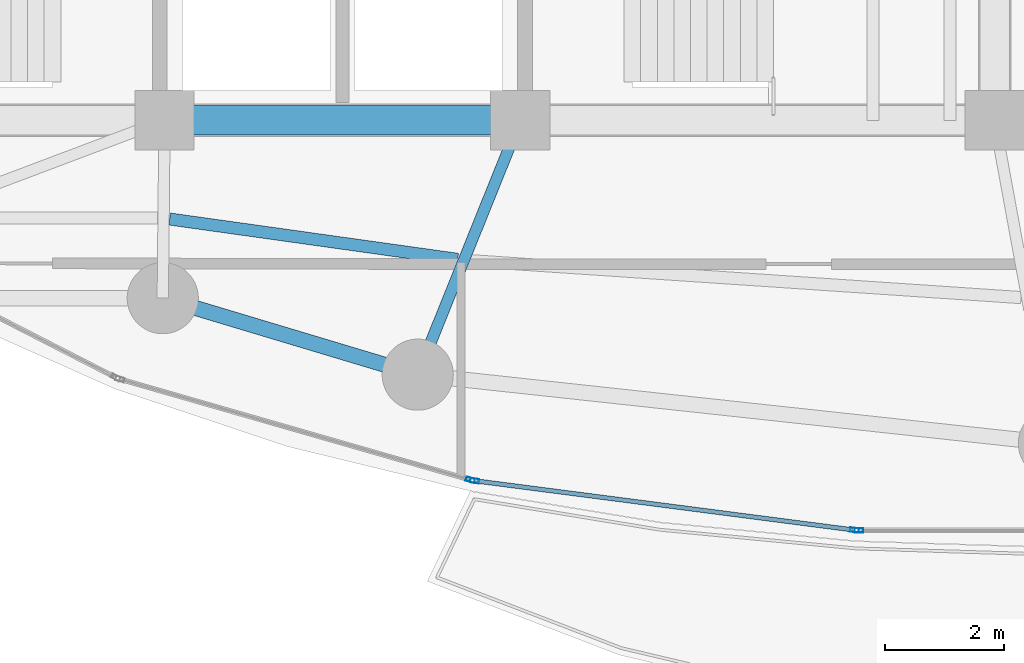
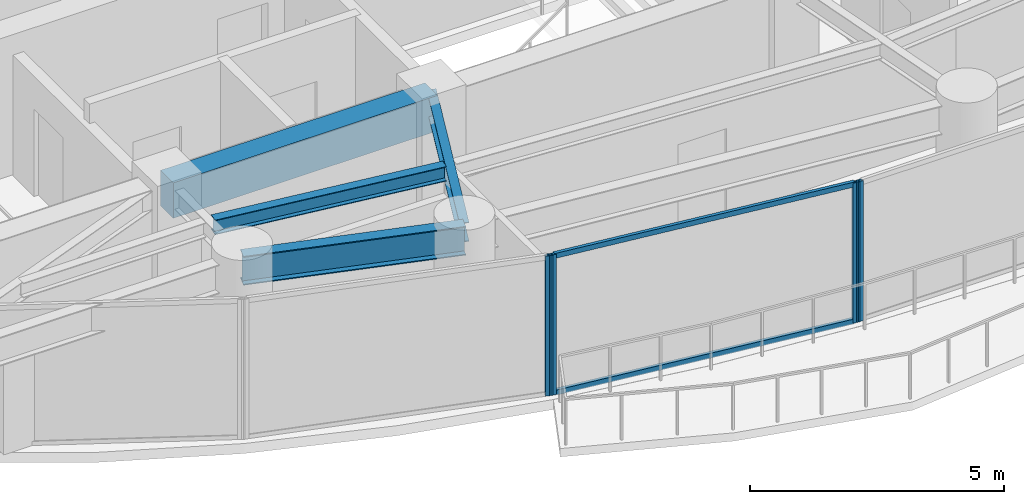
# One storey, part 5 of 28: 6 members, 4 beams, 3 elements without a shape of their own.
"""IFC4 building model written with IfcOpenShell, lengths in metres."""

from ifc_helpers import new_model, si_unit, direction, frame, origin, origin_2d, place, context, subcontext, project, spatial, rectangle, hollow_rectangle, i_section, extrude, material, layer, layer_set, material_profile, profile_set, type_object, element, aggregate, save


model = new_model("IFC4")

# Units and contexts
model_context = context("Model", 3, precision=1e-05, world=origin(), true_north=direction((0.0, 1.0)))
body_context = subcontext(model_context, "Body", "Model", "MODEL_VIEW")
ifc_project = project(units=[si_unit("LENGTHUNIT", "METRE"), si_unit("AREAUNIT", "SQUARE_METRE"), si_unit("VOLUMEUNIT", "CUBIC_METRE"), si_unit("PLANEANGLEUNIT", "RADIAN"), si_unit("MASSUNIT", "GRAM", prefix="KILO")], contexts=[model_context])

# Site, building, storey
site_placement = place(None, origin())
site = spatial("IfcSite", under=ifc_project, at=site_placement, CompositionType="ELEMENT")
building_placement = place(site_placement, origin())
building = spatial("IfcBuilding", under=site, at=building_placement, Name="Kazevale Care Tower and Concert Hall", CompositionType="ELEMENT")
storey_placement = place(building_placement, frame((0.0, 0.0, 135.0)))
storey = spatial("IfcBuildingStorey", under=building, at=storey_placement, Name="L35", CompositionType="ELEMENT", Elevation=135.0)

# Curtain wall, member
ifc_material_1 = material(Name="Aluminium 6063-T6 and Low-E Glass", Category="aluminium")
ifc_layer = layer(ifc_material_1, 0.179931640625)
ifc_layer_set = layer_set([ifc_layer], Name="Aluminium 6063-T6 and Low-E Glass")
curtain_wall_type = type_object("IfcCurtainWallType", Name="Sheltered Concave Balcony Curtain Wall CW-5", PredefinedType="NOTDEFINED", material=ifc_layer_set)
curtain_wall_1_placement = place(storey_placement, origin())
curtain_wall_1 = element("IfcCurtainWall", 1, at=curtain_wall_1_placement, inside=storey, type_object=curtain_wall_type, Name="cw:L35:f06", PredefinedType="NOTDEFINED")
ifc_material_2 = material(Name="Aluminium 6063-T6", Category="aluminium")
ifc_material_profile_1 = material_profile(ifc_material_2, hollow_rectangle(XDim=0.074951171875, YDim=0.14990234375, WallThickness=0.00390625, at=origin_2d()), Name="ALU75x150x4")
ifc_profile_set_1 = profile_set([ifc_material_profile_1], Name="Aluminium 6063-T6")
member_type_1 = type_object("IfcMemberType", Name="CW-5 Mullion ALU75x150x4", PredefinedType="MULLION", material=ifc_profile_set_1)
member_1_placement = place(storey_placement, frame((41.71240234375, 16.68408203125, 0.0), z_axis=(0.0, 0.0, 1.0), x_axis=(0.0, -1.0, 0.0)))
member_1 = element("IfcMember", 2, at=member_1_placement, type_object=member_type_1, Name="CW-5 mullion 2", PredefinedType="MULLION", context=body_context, shape_type="SweptSolid", body=[
    extrude(hollow_rectangle(XDim=0.074951171875, YDim=0.14990234375, WallThickness=0.00390625, at=origin_2d()), origin(), (0.0, 0.0, 1.0), 3.360107421875),
])
aggregate(curtain_wall_1, [member_1])

# Curtain wall, members
curtain_wall_2_placement = place(storey_placement, origin())
curtain_wall_2 = element("IfcCurtainWall", 3, at=curtain_wall_2_placement, inside=storey, type_object=curtain_wall_type, Name="cw:L35:f07", PredefinedType="NOTDEFINED")
member_2_placement = place(storey_placement, frame((41.6376953125, 16.688720703125, 0.0), z_axis=(0.0, 0.0, 1.0), x_axis=(-0.12868500567, -0.991685519364, 0.0)))
member_2 = element("IfcMember", 4, at=member_2_placement, type_object=member_type_1, Name="CW-5 mullion 1", PredefinedType="MULLION", context=body_context, shape_type="SweptSolid", body=[
    extrude(hollow_rectangle(XDim=0.074951171875, YDim=0.14990234375, WallThickness=0.00390625, at=origin_2d()), origin(), (0.0, 0.0, 1.0), 3.360107421875),
])
member_3_placement = place(storey_placement, frame((35.231201171875, 17.520263671875, 0.0), z_axis=(0.0, 0.0, 1.0), x_axis=(-0.12868500567, -0.991685519364, 0.0)))
member_3 = element("IfcMember", 5, at=member_3_placement, type_object=member_type_1, Name="CW-5 mullion 2", PredefinedType="MULLION", context=body_context, shape_type="SweptSolid", body=[
    extrude(hollow_rectangle(XDim=0.074951171875, YDim=0.14990234375, WallThickness=0.00390625, at=origin_2d()), origin(), (0.0, 0.0, 1.0), 3.360107421875),
])

# Curtain wall, member
curtain_wall_3_placement = place(storey_placement, origin())
curtain_wall_3 = element("IfcCurtainWall", 6, at=curtain_wall_3_placement, inside=storey, type_object=curtain_wall_type, Name="cw:L35:f08", PredefinedType="NOTDEFINED")
member_4_placement = place(storey_placement, frame((35.157958984375, 17.535400390625, 0.0), z_axis=(0.0, 0.0, 1.0), x_axis=(-0.276290733172, -0.961074102639, 0.0)))
member_4 = element("IfcMember", 7, at=member_4_placement, type_object=member_type_1, Name="CW-5 mullion 1", PredefinedType="MULLION", context=body_context, shape_type="SweptSolid", body=[
    extrude(hollow_rectangle(XDim=0.074951171875, YDim=0.14990234375, WallThickness=0.00390625, at=origin_2d()), origin(), (0.0, 0.0, 1.0), 3.360107421875),
])
aggregate(curtain_wall_3, [member_4])

# Member
ifc_material_profile_2 = material_profile(ifc_material_2, hollow_rectangle(XDim=0.074951171875, YDim=0.1201171875, WallThickness=0.00390625, at=origin_2d()), Name="ALU75x120x4")
ifc_profile_set_2 = profile_set([ifc_material_profile_2], Name="Aluminium 6063-T6")
member_type_2 = type_object("IfcMemberType", Name="CW-5 Transom ALU75x120x4", PredefinedType="USERDEFINED", material=ifc_profile_set_2)
member_5_placement = place(storey_placement, frame((41.6005859375, 16.693603515625, 0.03759765625), z_axis=(-0.991683991743, 0.12869677743, 0.0), x_axis=(-0.12869677743, -0.991683991743, 0.0)))
member_5 = element("IfcMember", 8, at=member_5_placement, type_object=member_type_2, Name="CW-5 transom 1.1", ObjectType="TRANSOM", PredefinedType="USERDEFINED", context=body_context, shape_type="SweptSolid", body=[
    extrude(hollow_rectangle(XDim=0.074951171875, YDim=0.1201171875, WallThickness=0.00390625, at=origin_2d()), origin(), (0.0, 0.0, 1.0), 6.385498046875),
])

member_6_placement = place(storey_placement, frame((41.6005859375, 16.693603515625, 3.322509765625), z_axis=(-0.991683991743, 0.12869677743, 0.0), x_axis=(-0.12869677743, -0.991683991743, 0.0)))
member_6 = element("IfcMember", 9, at=member_6_placement, type_object=member_type_2, Name="CW-5 transom 1.2", ObjectType="TRANSOM", PredefinedType="USERDEFINED", context=body_context, shape_type="SweptSolid", body=[
    extrude(hollow_rectangle(XDim=0.074951171875, YDim=0.1201171875, WallThickness=0.00390625, at=origin_2d()), origin(), (0.0, 0.0, 1.0), 6.385498046875),
])

aggregate(curtain_wall_2, [member_2, member_3, member_5, member_6])

# Beams
ifc_material_3 = material(Name="Concrete C60", Category="concrete")
ifc_material_profile_3 = material_profile(ifc_material_3, rectangle(XDim=0.5, YDim=0.85009765625, at=origin_2d()), Name="RC-B500x850")
ifc_profile_set_3 = profile_set([ifc_material_profile_3], Name="Concrete C60")
beam_type_1 = type_object("IfcBeamType", Name="Core Coupling Beam RC500x850", PredefinedType="LINTEL", material=ifc_profile_set_3)
beam_1_placement = place(storey_placement, frame((30.0, 23.60009765625, 2.93505859375), z_axis=(1.0, 0.0, 0.0), x_axis=(0.0, 1.0, 0.0)))
element("IfcBeam", 10, at=beam_1_placement, inside=storey, type_object=beam_type_1, Name="beam:L35:coretie:2", PredefinedType="LINTEL", context=body_context, shape_type="SweptSolid", body=[
    extrude(rectangle(XDim=0.5, YDim=0.85009765625, at=origin_2d()), origin(), (0.0, 0.0, 1.0), 6.0),
])
ifc_material_4 = material(Name="Steel ASTM A572 Gr 50", Category="steel")
ifc_material_profile_4 = material_profile(ifc_material_4, i_section(OverallWidth=0.19091796875, OverallDepth=0.4599609375, WebThickness=0.010009765625, FlangeThickness=0.01611328125, at=origin_2d()), Name="W460x82")
ifc_profile_set_4 = profile_set([ifc_material_profile_4], Name="Steel ASTM A572 Gr 50")
beam_type_2 = type_object("IfcBeamType", Name="Radial Floor Beam W460x82", PredefinedType="BEAM", material=ifc_profile_set_4)
beam_2_placement = place(storey_placement, frame((36.0, 23.60009765625, 3.1298828125), z_axis=(-0.373991766452, -0.927432023722, 0.0), x_axis=(0.927432023722, -0.373991766452, 0.0)))
element("IfcBeam", 11, at=beam_2_placement, inside=storey, type_object=beam_type_2, Name="beam:L35:rad:12", PredefinedType="BEAM", context=body_context, shape_type="SweptSolid", body=[
    extrude(i_section(OverallWidth=0.19091796875, OverallDepth=0.4599609375, WebThickness=0.010009765625, FlangeThickness=0.01611328125, at=origin_2d()), origin(), (0.0, 0.0, 1.0), 4.625732421875),
])
ifc_material_profile_5 = material_profile(ifc_material_4, i_section(OverallWidth=0.205078125, OverallDepth=0.35400390625, WebThickness=0.009521484375, FlangeThickness=0.016845703125, at=origin_2d()), Name="W360x79")
ifc_profile_set_5 = profile_set([ifc_material_profile_5], Name="Steel ASTM A572 Gr 50")
beam_type_3 = type_object("IfcBeamType", Name="Secondary Floor Joist W360x79", PredefinedType="JOIST", material=ifc_profile_set_5)
beam_3_placement = place(storey_placement, frame((30.0869140625, 21.93505859375, 3.18310546875), z_axis=(0.990340789942, -0.138654678164, 0.0), x_axis=(0.138654678164, 0.990340789942, 0.0)))
element("IfcBeam", 12, at=beam_3_placement, inside=storey, type_object=beam_type_3, Name="beam:L35:joist:11", PredefinedType="JOIST", context=body_context, shape_type="SweptSolid", body=[
    extrude(i_section(OverallWidth=0.205078125, OverallDepth=0.35400390625, WebThickness=0.009521484375, FlangeThickness=0.016845703125, at=origin_2d()), origin(), (0.0, 0.0, 1.0), 4.905517578125),
])
ifc_material_profile_6 = material_profile(ifc_material_4, i_section(OverallWidth=0.256103515625, OverallDepth=0.693115234375, WebThickness=0.014404296875, FlangeThickness=0.023681640625, at=origin_2d()), Name="W690x170")
ifc_profile_set_6 = profile_set([ifc_material_profile_6], Name="Steel ASTM A572 Gr 50")
beam_type_4 = type_object("IfcBeamType", Name="Waist Ring Beam W690x170", PredefinedType="BEAM", material=ifc_profile_set_6)
beam_4_placement = place(storey_placement, frame((29.969970703125, 20.60009765625, 3.013427734375), z_axis=(0.957824788464, -0.287352874709, 0.0), x_axis=(0.287352874709, 0.957824788464, 0.0)))
element("IfcBeam", 13, at=beam_4_placement, inside=storey, type_object=beam_type_4, Name="beam:L35:ring:11", PredefinedType="BEAM", context=body_context, shape_type="SweptSolid", body=[
    extrude(i_section(OverallWidth=0.256103515625, OverallDepth=0.693115234375, WebThickness=0.014404296875, FlangeThickness=0.023681640625, at=origin_2d()), origin(), (0.0, 0.0, 1.0), 4.489501953125),
])

save(model, "model.ifc")
